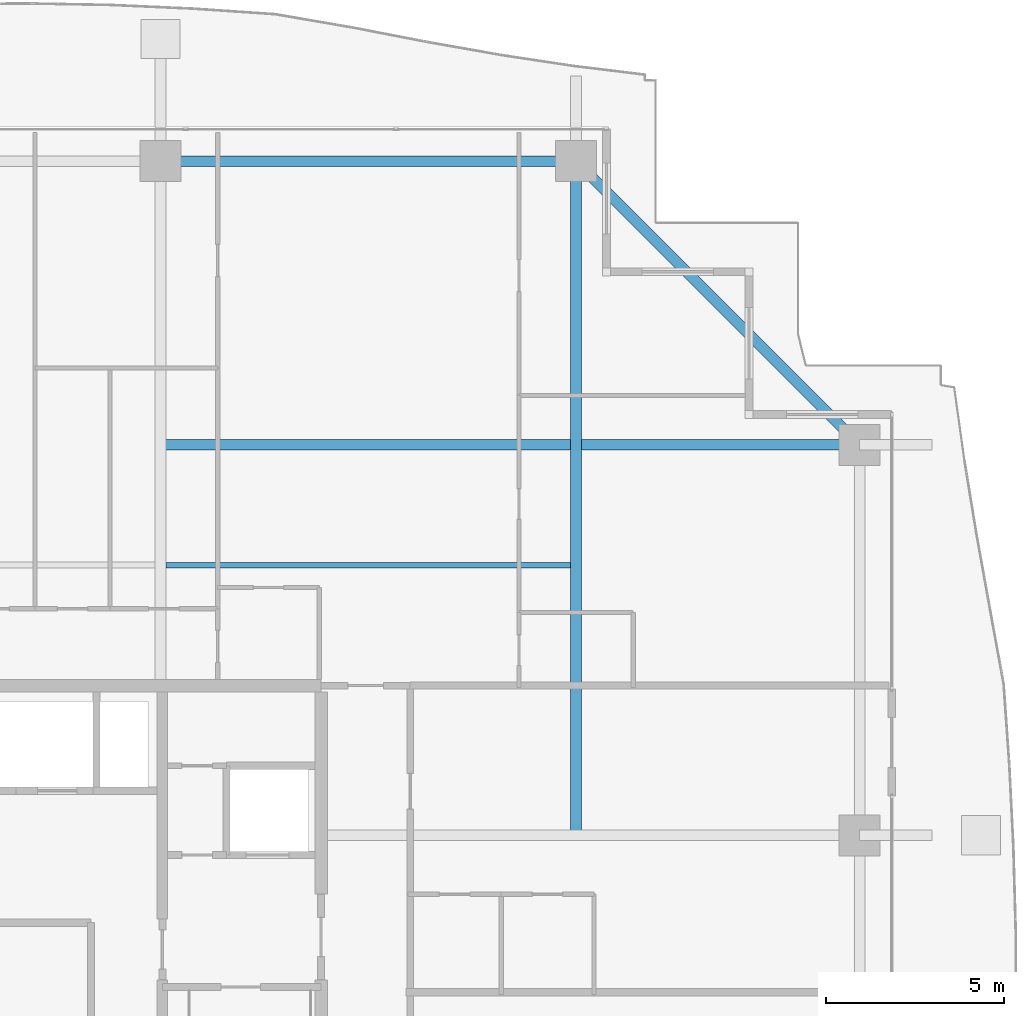
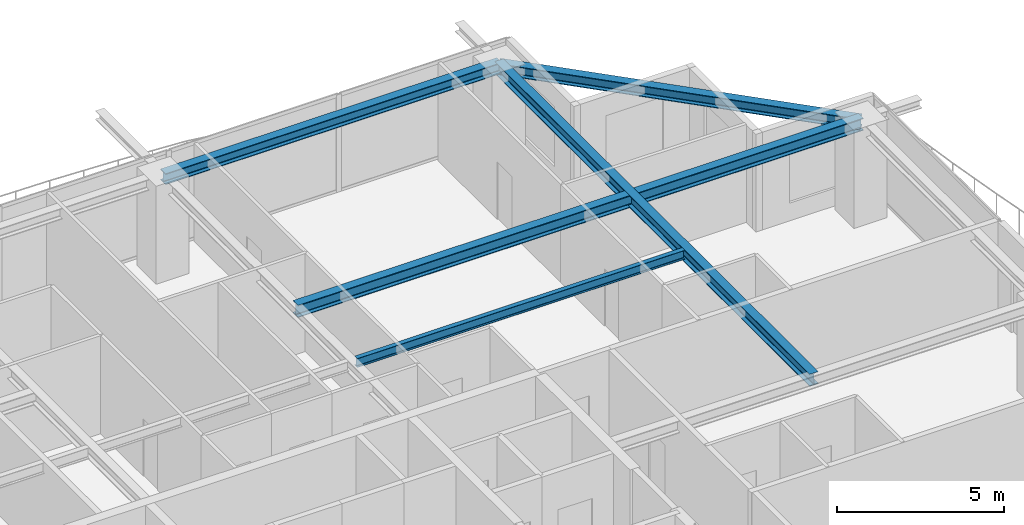
# One storey, part 22 of 37: 5 beams.
"""IFC4 building model written with IfcOpenShell, lengths in metres."""

from ifc_helpers import new_model, si_unit, direction, frame, origin, origin_2d, place, context, subcontext, project, spatial, i_section, extrude, source, transform, mapped, material, material_profile, profile_set, type_object, element, save


model = new_model("IFC4")

# Units and contexts
model_context = context("Model", 3, precision=1e-05, world=origin(), true_north=direction((0.0, 1.0)))
body_context = subcontext(model_context, "Body", "Model", "MODEL_VIEW")
ifc_project = project(units=[si_unit("LENGTHUNIT", "METRE"), si_unit("AREAUNIT", "SQUARE_METRE"), si_unit("VOLUMEUNIT", "CUBIC_METRE"), si_unit("PLANEANGLEUNIT", "RADIAN"), si_unit("MASSUNIT", "GRAM", prefix="KILO")], contexts=[model_context])

# Site, building, storey
site_placement = place(None, origin())
site = spatial("IfcSite", under=ifc_project, at=site_placement, CompositionType="ELEMENT")
building_placement = place(site_placement, origin())
building = spatial("IfcBuilding", under=site, at=building_placement, Name="Serunith Strait Residences", CompositionType="ELEMENT")
storey_placement = place(building_placement, frame((0.0, 0.0, 279.75)))
storey = spatial("IfcBuildingStorey", under=building, at=storey_placement, Name="L70", CompositionType="ELEMENT", Elevation=279.75)

# Beams
ifc_material = material(Name="Steel S355J2", Category="steel")
ifc_material_profile_1 = material_profile(ifc_material, i_section(OverallWidth=0.300048828125, OverallDepth=0.449951171875, WebThickness=0.013916015625, FlangeThickness=0.02587890625, FilletRadius=0.027099609375, at=origin_2d()), Name="HEB 450")
ifc_profile_set_1 = profile_set([ifc_material_profile_1], Name="Steel S355J2")
beam_type_1 = type_object("IfcBeamType", Name="BM-HEB450", PredefinedType="BEAM", material=ifc_profile_set_1)
shared_shape_1 = source(origin(), body_context, "Body", "SweptSolid", [
    extrude(i_section(OverallWidth=0.300048828125, OverallDepth=0.449951171875, WebThickness=0.013916015625, FlangeThickness=0.02587890625, FilletRadius=0.027099609375, at=origin_2d()), origin(), (0.0, 0.0, 1.0), 18.900146484375),
])
beam_1_placement = place(storey_placement, frame((48.550048828125, 29.39990234375, 3.362060546875), z_axis=(0.0, 1.0, 0.0), x_axis=(-1.0, 0.0, 0.0)))
element("IfcBeam", 1, at=beam_1_placement, inside=storey, type_object=beam_type_1, Name="L70 Orthogonal Corner Girder TC-N4", PredefinedType="BEAM", context=body_context, shape_type="MappedRepresentation", body=[
    mapped(shared_shape_1, transform((0.0, 0.0, 0.0), scale=1.0)),
])
shared_shape_2 = source(origin(), body_context, "Body", "SweptSolid", [
    extrude(i_section(OverallWidth=0.300048828125, OverallDepth=0.449951171875, WebThickness=0.013916015625, FlangeThickness=0.02587890625, FilletRadius=0.027099609375, at=origin_2d()), origin(), (0.0, 0.0, 1.0), 19.60009765625),
])
beam_2_placement = place(storey_placement, frame((36.89990234375, 40.35009765625, 3.362060546875), z_axis=(1.0, 0.0, 0.0), x_axis=(0.0, 1.0, 0.0)))
element("IfcBeam", 2, at=beam_2_placement, inside=storey, type_object=beam_type_1, Name="L70 Orthogonal Corner Girder TC-E4", PredefinedType="BEAM", context=body_context, shape_type="MappedRepresentation", body=[
    mapped(shared_shape_2, transform((0.0, 0.0, 0.0), scale=1.0)),
])
ifc_material_profile_2 = material_profile(ifc_material, i_section(OverallWidth=0.300048828125, OverallDepth=0.39990234375, WebThickness=0.013427734375, FlangeThickness=0.02392578125, FilletRadius=0.027099609375, at=origin_2d()), Name="HEB 400")
ifc_profile_set_2 = profile_set([ifc_material_profile_2], Name="Steel S355J2")
beam_type_2 = type_object("IfcBeamType", Name="BM-HEB400", PredefinedType="BEAM", material=ifc_profile_set_2)
shared_shape_3 = source(origin(), body_context, "Body", "SweptSolid", [
    extrude(i_section(OverallWidth=0.300048828125, OverallDepth=0.39990234375, WebThickness=0.013427734375, FlangeThickness=0.02392578125, FilletRadius=0.027099609375, at=origin_2d()), origin(), (0.0, 0.0, 1.0), 11.650146484375),
])
beam_3_placement = place(storey_placement, frame((48.550048828125, 48.300048828125, 3.386962890625), z_axis=(-1.0, 0.0, 0.0), x_axis=(0.0, -1.0, 0.0)))
element("IfcBeam", 3, at=beam_3_placement, inside=storey, type_object=beam_type_2, Name="L70 Perimeter Ring Beam 09", PredefinedType="BEAM", context=body_context, shape_type="MappedRepresentation", body=[
    mapped(shared_shape_3, transform((0.0, 0.0, 0.0), scale=1.0)),
])
shared_shape_4 = source(origin(), body_context, "Body", "SweptSolid", [
    extrude(i_section(OverallWidth=0.300048828125, OverallDepth=0.39990234375, WebThickness=0.013427734375, FlangeThickness=0.02392578125, FilletRadius=0.027099609375, at=origin_2d()), origin(), (0.0, 0.0, 1.0), 11.242919921875),
])
beam_4_placement = place(storey_placement, frame((56.5, 40.35009765625, 3.35693359375), z_axis=(-0.707106781187, 0.707106781187, 0.0), x_axis=(-0.707106781187, -0.707106781187, 0.0)))
element("IfcBeam", 4, at=beam_4_placement, inside=storey, type_object=beam_type_2, Name="L70 Perimeter Ring Beam 08", PredefinedType="BEAM", context=body_context, shape_type="MappedRepresentation", body=[
    mapped(shared_shape_4, transform((0.0, 0.0, 0.0), scale=1.0)),
])
ifc_material_profile_3 = material_profile(ifc_material, i_section(OverallWidth=0.159912109375, OverallDepth=0.330078125, WebThickness=0.007568359375, FlangeThickness=0.011474609375, FilletRadius=0.01806640625, at=origin_2d()), Name="IPE 330")
ifc_profile_set_3 = profile_set([ifc_material_profile_3], Name="Steel S355J2")
beam_type_3 = type_object("IfcBeamType", Name="BM-IPE330", PredefinedType="JOIST", material=ifc_profile_set_3)
shared_shape_5 = source(origin(), body_context, "Body", "SweptSolid", [
    extrude(i_section(OverallWidth=0.159912109375, OverallDepth=0.330078125, WebThickness=0.007568359375, FlangeThickness=0.011474609375, FilletRadius=0.01806640625, at=origin_2d()), origin(), (0.0, 0.0, 1.0), 11.349853515625),
])
beam_5_placement = place(storey_placement, frame((37.050048828125, 36.97509765625, 3.422119140625), z_axis=(1.0, 0.0, 0.0), x_axis=(0.0, 1.0, 0.0)))
element("IfcBeam", 5, at=beam_5_placement, inside=storey, type_object=beam_type_3, Name="L70 Composite Floor Joist 06", PredefinedType="JOIST", context=body_context, shape_type="MappedRepresentation", body=[
    mapped(shared_shape_5, transform((0.0, 0.0, 0.0), scale=1.0)),
])

save(model, "model.ifc")
